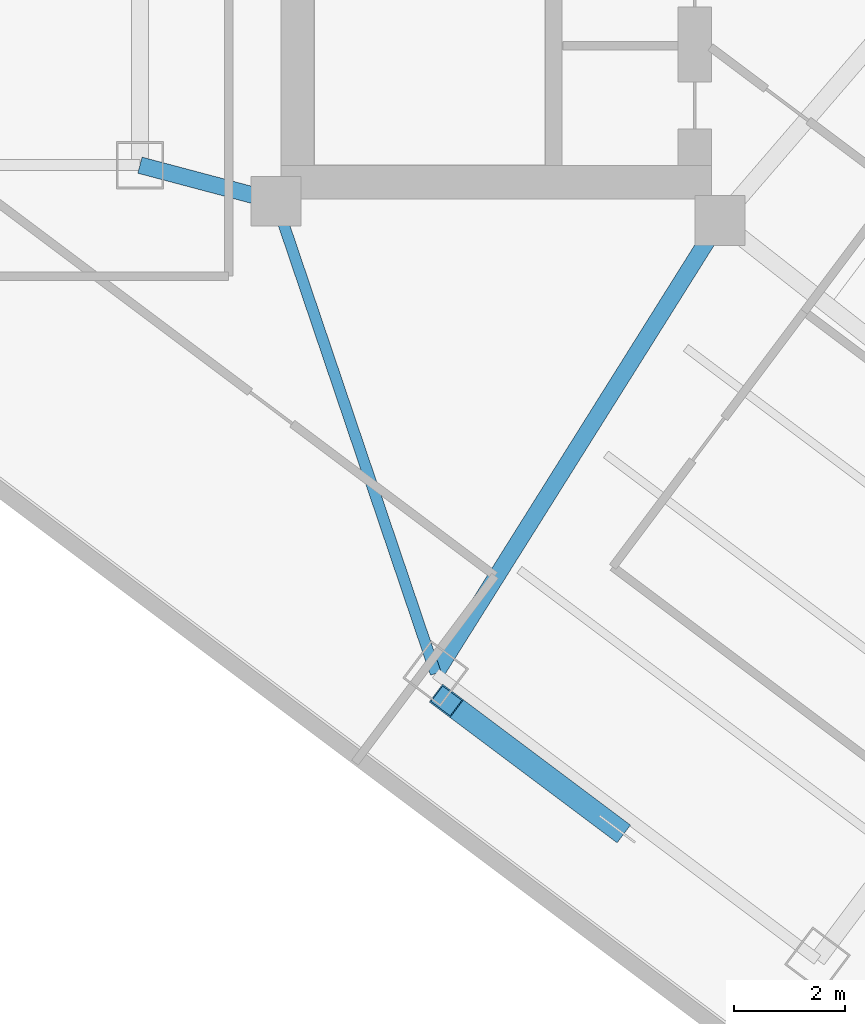
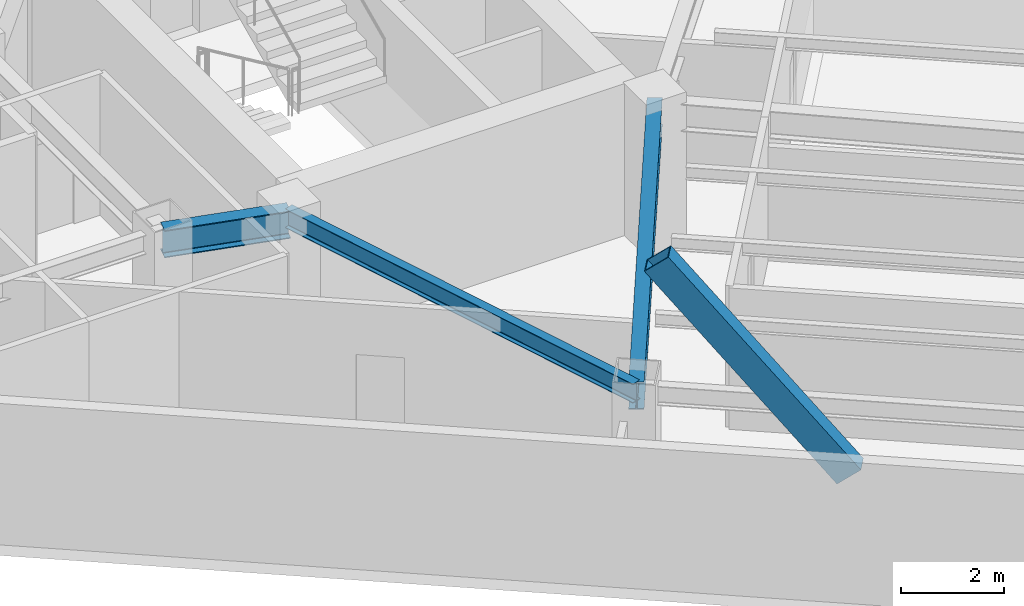
# One storey, part 3 of 28: 3 beams, 1 member.
"""IFC4 building model written with IfcOpenShell, lengths in metres."""

from ifc_helpers import new_model, si_unit, direction, frame, origin, origin_2d, place, context, subcontext, project, spatial, hollow_rectangle, i_section, extrude, material, material_profile, profile_set, type_object, element, save


model = new_model("IFC4")

# Units and contexts
model_context = context("Model", 3, precision=1e-05, world=origin(), true_north=direction((0.0, 1.0)))
body_context = subcontext(model_context, "Body", "Model", "MODEL_VIEW")
ifc_project = project(units=[si_unit("LENGTHUNIT", "METRE"), si_unit("AREAUNIT", "SQUARE_METRE"), si_unit("VOLUMEUNIT", "CUBIC_METRE"), si_unit("PLANEANGLEUNIT", "RADIAN"), si_unit("MASSUNIT", "GRAM", prefix="KILO")], contexts=[model_context])

# Site, building, storey
site_placement = place(None, origin())
site = spatial("IfcSite", under=ifc_project, at=site_placement, CompositionType="ELEMENT")
building_placement = place(site_placement, origin())
building = spatial("IfcBuilding", under=site, at=building_placement, Name="Hatsunagi Terrace Concourse", CompositionType="ELEMENT")
storey_placement = place(building_placement, frame((0.0, 0.0, 160.050048828125)))
storey = spatial("IfcBuildingStorey", under=building, at=storey_placement, Name="L42", CompositionType="ELEMENT", Elevation=160.050048828125)

# Beams
ifc_material_1 = material(Name="Steel SN490B", Category="steel")
ifc_material_profile_1 = material_profile(ifc_material_1, i_section(OverallWidth=0.300048828125, OverallDepth=0.64990234375, WebThickness=0.012939453125, FlangeThickness=0.02197265625, FilletRadius=0.01806640625, at=origin_2d()), Name="H-650x300x13x22")
ifc_profile_set_1 = profile_set([ifc_material_profile_1], Name="Steel SN490B")
beam_type_1 = type_object("IfcBeamType", Name="OfficeLowGirder_H_650x300", PredefinedType="BEAM", material=ifc_profile_set_1)
beam_1_placement = place(storey_placement, frame((33.35009765625, 25.199951171875, 3.02490234375), z_axis=(0.966569840116, -0.256403479262, 0.0), x_axis=(0.256403479262, 0.966569840116, 0.0)))
element("IfcBeam", 1, at=beam_1_placement, inside=storey, type_object=beam_type_1, Name="Beam G-05 BM-L42-K2CB", PredefinedType="BEAM", context=body_context, shape_type="SweptSolid", body=[
    extrude(i_section(OverallWidth=0.300048828125, OverallDepth=0.64990234375, WebThickness=0.012939453125, FlangeThickness=0.02197265625, FilletRadius=0.01806640625, at=origin_2d()), origin(), (0.0, 0.0, 1.0), 2.53466796875),
])
beam_2_placement = place(storey_placement, frame((38.679931640625, 16.0400390625, 3.02490234375), z_axis=(0.531503907049, 0.847055840421, 0.0), x_axis=(-0.847055840421, 0.531503907049, 0.0)))
element("IfcBeam", 2, at=beam_2_placement, inside=storey, type_object=beam_type_1, Name="Beam G-05 BM-L42-SET-1A", PredefinedType="BEAM", context=body_context, shape_type="SweptSolid", body=[
    extrude(i_section(OverallWidth=0.300048828125, OverallDepth=0.64990234375, WebThickness=0.012939453125, FlangeThickness=0.02197265625, FilletRadius=0.01806640625, at=origin_2d()), origin(), (0.0, 0.0, 1.0), 9.63330078125),
])
ifc_material_2 = material(Name="Steel SN490B", Category="steel")
ifc_material_profile_2 = material_profile(ifc_material_2, i_section(OverallWidth=0.199951171875, OverallDepth=0.449951171875, WebThickness=0.009033203125, FlangeThickness=0.013916015625, FilletRadius=0.01611328125, at=origin_2d()), Name="H-450x200x9x14")
ifc_profile_set_2 = profile_set([ifc_material_profile_2], Name="Steel SN490B")
beam_type_2 = type_object("IfcBeamType", Name="PerimeterSpandrel_H_450x200", PredefinedType="SPANDREL", material=ifc_profile_set_2)
beam_3_placement = place(storey_placement, frame((35.800048828125, 24.550048828125, 3.125), z_axis=(0.320553412271, -0.947230441805, 0.0), x_axis=(0.947230441805, 0.320553412271, 0.0)))
element("IfcBeam", 3, at=beam_3_placement, inside=storey, type_object=beam_type_2, Name="Beam SP-02 BM-L42-SE-SW0", PredefinedType="SPANDREL", context=body_context, shape_type="SweptSolid", body=[
    extrude(i_section(OverallWidth=0.199951171875, OverallDepth=0.449951171875, WebThickness=0.009033203125, FlangeThickness=0.013916015625, FilletRadius=0.01611328125, at=origin_2d()), origin(), (0.0, 0.0, 1.0), 8.984130859375),
])

# Member
ifc_material_3 = material(Name="Steel SN490B", Category="steel")
ifc_material_profile_3 = material_profile(ifc_material_3, hollow_rectangle(XDim=0.39990234375, YDim=0.60009765625, WallThickness=0.02490234375, at=origin_2d()), Name="RHS-600x400x25")
ifc_profile_set_3 = profile_set([ifc_material_profile_3], Name="Steel SN490B")
member_type = type_object("IfcMemberType", Name="PerimeterXBrace_Mid_RHS_600x400x25", PredefinedType="BRACE", material=ifc_profile_set_3)
member_placement = place(storey_placement, frame((38.8720703125, 15.5458984375, 6.510009765625), z_axis=(0.498326701043, -0.373795549619, -0.782270660394), x_axis=(0.600051906341, 0.799961067613, 0.0)))
element("IfcMember", 4, at=member_placement, inside=storey, type_object=member_type, Name="Perimeter X-Brace Split Upper XB-02 XB-L41-SEB1", PredefinedType="BRACE", context=body_context, shape_type="SweptSolid", body=[
    extrude(hollow_rectangle(XDim=0.39990234375, YDim=0.60009765625, WallThickness=0.02490234375, at=origin_2d()), origin(), (0.0, 0.0, 1.0), 6.040283203125),
])

save(model, "model.ifc")
